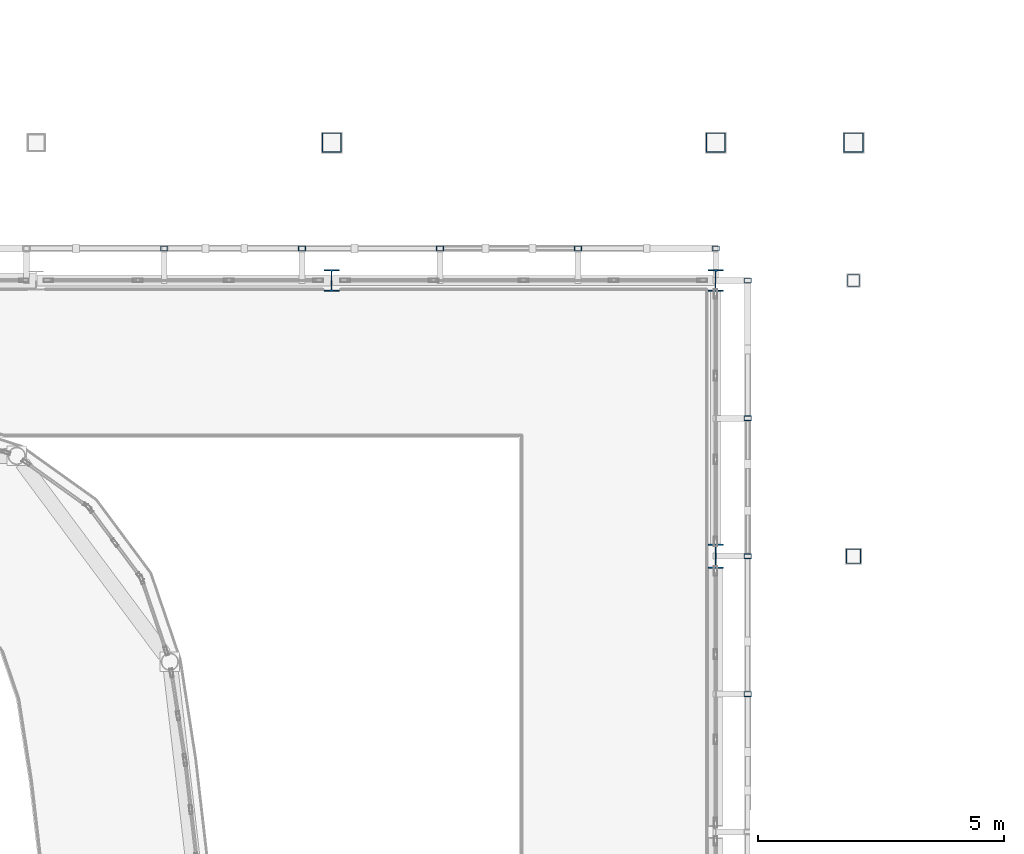
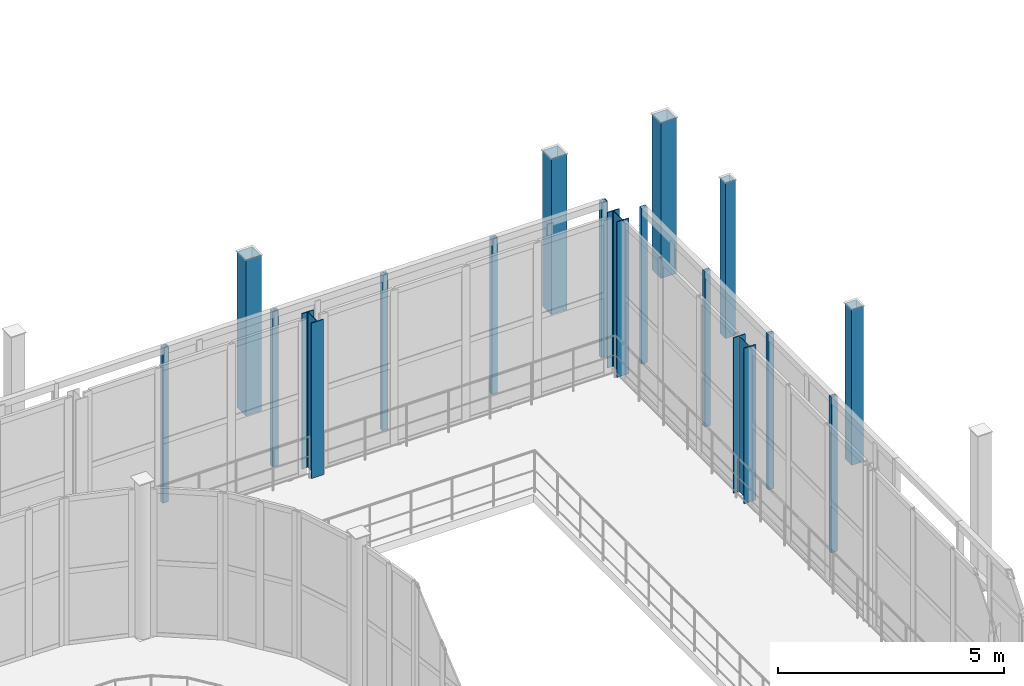
# One storey, part 12 of 138: 17 columns.
"""IFC4 building model written with IfcOpenShell, lengths in metres."""

from ifc_helpers import new_model, si_unit, direction, frame, origin, origin_2d, place, context, subcontext, project, spatial, hollow_rectangle, i_section, extrude, material, material_profile, profile_set, type_object, element, save


model = new_model("IFC4")

# Units and contexts
model_context = context("Model", 3, precision=1e-05, world=origin(), true_north=direction((0.0, 1.0)))
body_context = subcontext(model_context, "Body", "Model", "MODEL_VIEW")
ifc_project = project(units=[si_unit("LENGTHUNIT", "METRE"), si_unit("AREAUNIT", "SQUARE_METRE"), si_unit("VOLUMEUNIT", "CUBIC_METRE"), si_unit("PLANEANGLEUNIT", "RADIAN"), si_unit("MASSUNIT", "GRAM", prefix="KILO")], contexts=[model_context])

# Site, building, storey
site_placement = place(None, origin())
site = spatial("IfcSite", under=ifc_project, at=site_placement, CompositionType="ELEMENT")
building_placement = place(site_placement, origin())
building = spatial("IfcBuilding", under=site, at=building_placement, Name="Vinh Khe Railworks Police Headquarters", CompositionType="ELEMENT")
storey_placement = place(building_placement, frame((0.0, 0.0, 9.0)))
storey = spatial("IfcBuildingStorey", under=building, at=storey_placement, Name="L02", CompositionType="ELEMENT", Elevation=9.0)

# Columns
ifc_material = material(Name="Steel S355JR", Category="steel")
ifc_material_profile_1 = material_profile(ifc_material, hollow_rectangle(XDim=0.14990234375, YDim=0.10009765625, WallThickness=0.008056640625, at=origin_2d()), Name="RHS 150x100x8")
ifc_profile_set_1 = profile_set([ifc_material_profile_1], Name="Steel S355JR")
column_type_1 = type_object("IfcColumnType", Name="COL-QUILT-POST", PredefinedType="COLUMN", material=ifc_profile_set_1)
for number, where, z_axis, x_axis, name in (
    (1, (48.800048828125, 59.449951171875, 0.0), (0.0, 0.0, 1.0), (1.0, 0.0, 0.0), "Patchwork Quilt Carrier Column N-9 (L02)"),
    (2, (51.60009765625, 59.449951171875, 0.0), (0.0, 0.0, 1.0), (1.0, 0.0, 0.0), "Patchwork Quilt Carrier Column N-10 (L02)"),
    (3, (54.39990234375, 59.449951171875, 0.0), (0.0, 0.0, 1.0), (1.0, 0.0, 0.0), "Patchwork Quilt Carrier Column N-11 (L02)"),
    (4, (57.199951171875, 59.449951171875, 0.0), (0.0, 0.0, 1.0), (1.0, 0.0, 0.0), "Patchwork Quilt Carrier Column N-12 (L02)"),
    (5, (60.0, 59.449951171875, 0.0), (0.0, 0.0, 1.0), (1.0, 0.0, 0.0), "Patchwork Quilt Carrier Column N-13 (L02)"),
    (6, (60.64990234375, 50.39990234375, 0.0), (0.0, 0.0, 1.0), (1.0, 0.0, 0.0), "Patchwork Quilt Carrier Column E-10 (L02)"),
    (7, (60.64990234375, 53.199951171875, 0.0), (0.0, 0.0, 1.0), (1.0, 0.0, 0.0), "Patchwork Quilt Carrier Column E-11 (L02)"),
    (8, (60.64990234375, 56.0, 0.0), (0.0, 0.0, 1.0), (1.0, 0.0, 0.0), "Patchwork Quilt Carrier Column E-12 (L02)"),
    (9, (60.64990234375, 58.800048828125, 0.0), (0.0, 0.0, 1.0), (1.0, 0.0, 0.0), "Patchwork Quilt Carrier Column E-13 (L02)"),
):
    element("IfcColumn", number, at=place(storey_placement, frame(where, z_axis=z_axis, x_axis=x_axis)), inside=storey, type_object=column_type_1, Name=name, PredefinedType="COLUMN", context=body_context, shape_type="SweptSolid", body=[
        extrude(hollow_rectangle(XDim=0.14990234375, YDim=0.10009765625, WallThickness=0.008056640625, at=origin_2d()), origin(), (0.0, 0.0, 1.0), 4.199951171875),
    ])
ifc_material_profile_2 = material_profile(ifc_material, i_section(OverallWidth=0.300048828125, OverallDepth=0.43994140625, WebThickness=0.011474609375, FlangeThickness=0.02099609375, FilletRadius=0.027099609375, at=origin_2d()), Name="HEA 450")
ifc_profile_set_2 = profile_set([ifc_material_profile_2], Name="Steel S355JR")
column_type_2 = type_object("IfcColumnType", Name="Steel Column HEA 450", PredefinedType="COLUMN", material=ifc_profile_set_2)
for number, where, z_axis, x_axis, name in (
    (10, (52.199951171875, 58.800048828125, 0.0), (0.0, 0.0, 1.0), (1.0, 0.0, 0.0), "Column COL-L02-SC-14-0976"),
    (11, (60.0, 58.800048828125, 0.0), (0.0, 0.0, 1.0), (1.0, 0.0, 0.0), "Column COL-L02-SC-14-1040"),
):
    element("IfcColumn", number, at=place(storey_placement, frame(where, z_axis=z_axis, x_axis=x_axis)), inside=storey, type_object=column_type_2, Name=name, PredefinedType="COLUMN", context=body_context, shape_type="SweptSolid", body=[
        extrude(i_section(OverallWidth=0.300048828125, OverallDepth=0.43994140625, WebThickness=0.011474609375, FlangeThickness=0.02099609375, FilletRadius=0.027099609375, at=origin_2d()), origin(), (0.0, 0.0, 1.0), 4.199951171875),
    ])
ifc_material_profile_3 = material_profile(ifc_material, i_section(OverallWidth=0.300048828125, OverallDepth=0.489990234375, WebThickness=0.011962890625, FlangeThickness=0.02294921875, FilletRadius=0.027099609375, at=origin_2d()), Name="HEA 500")
ifc_profile_set_3 = profile_set([ifc_material_profile_3], Name="Steel S355JR")
column_type_3 = type_object("IfcColumnType", Name="Steel Column HEA 500", PredefinedType="COLUMN", material=ifc_profile_set_3)
column_1_placement = place(storey_placement, frame((60.0, 53.199951171875, 0.0), z_axis=(0.0, 0.0, 1.0), x_axis=(1.0, 0.0, 0.0)))
element("IfcColumn", 12, at=column_1_placement, inside=storey, type_object=column_type_3, Name="Column COL-L02-SC-13-1035", PredefinedType="COLUMN", context=body_context, shape_type="SweptSolid", body=[
    extrude(i_section(OverallWidth=0.300048828125, OverallDepth=0.489990234375, WebThickness=0.011962890625, FlangeThickness=0.02294921875, FilletRadius=0.027099609375, at=origin_2d()), origin(), (0.0, 0.0, 1.0), 4.199951171875),
])
ifc_material_profile_4 = material_profile(ifc_material, hollow_rectangle(XDim=0.25, YDim=0.25, WallThickness=0.012451171875, at=origin_2d()), Name="SHS 250x250x12.5")
ifc_profile_set_4 = profile_set([ifc_material_profile_4], Name="Steel S355JR")
column_type_4 = type_object("IfcColumnType", Name="Steel Column SHS 250x250x12.5", PredefinedType="COLUMN", material=ifc_profile_set_4)
column_2_placement = place(storey_placement, frame((62.800048828125, 58.800048828125, 0.0), z_axis=(0.0, 0.0, 1.0), x_axis=(1.0, 0.0, 0.0)))
element("IfcColumn", 13, at=column_2_placement, inside=storey, type_object=column_type_4, Name="Column COL-L02-SC-24-1104", PredefinedType="COLUMN", context=body_context, shape_type="SweptSolid", body=[
    extrude(hollow_rectangle(XDim=0.25, YDim=0.25, WallThickness=0.012451171875, at=origin_2d()), origin(), (0.0, 0.0, 1.0), 4.199951171875),
])
ifc_material_profile_5 = material_profile(ifc_material, hollow_rectangle(XDim=0.300048828125, YDim=0.300048828125, WallThickness=0.01611328125, at=origin_2d()), Name="SHS 300x300x16")
ifc_profile_set_5 = profile_set([ifc_material_profile_5], Name="Steel S355JR")
column_type_5 = type_object("IfcColumnType", Name="Steel Column SHS 300x300x16", PredefinedType="COLUMN", material=ifc_profile_set_5)
column_3_placement = place(storey_placement, frame((62.800048828125, 53.199951171875, 0.0), z_axis=(0.0, 0.0, 1.0), x_axis=(1.0, 0.0, 0.0)))
element("IfcColumn", 14, at=column_3_placement, inside=storey, type_object=column_type_5, Name="Column COL-L02-SC-23-1099", PredefinedType="COLUMN", context=body_context, shape_type="SweptSolid", body=[
    extrude(hollow_rectangle(XDim=0.300048828125, YDim=0.300048828125, WallThickness=0.01611328125, at=origin_2d()), origin(), (0.0, 0.0, 1.0), 4.199951171875),
])
ifc_material_profile_6 = material_profile(ifc_material, hollow_rectangle(XDim=0.39990234375, YDim=0.39990234375, WallThickness=0.02001953125, at=origin_2d()), Name="SHS 400x400x20")
ifc_profile_set_6 = profile_set([ifc_material_profile_6], Name="Steel S355JR")
column_type_6 = type_object("IfcColumnType", Name="Steel Column SHS 400x400x20", PredefinedType="COLUMN", material=ifc_profile_set_6)
for number, where, z_axis, x_axis, name in (
    (15, (52.199951171875, 61.60009765625, 0.0), (0.0, 0.0, 1.0), (1.0, 0.0, 0.0), "Column COL-L02-SC-21-0981"),
    (16, (60.0, 61.60009765625, 0.0), (0.0, 0.0, 1.0), (1.0, 0.0, 0.0), "Column COL-L02-SC-21-1045"),
    (17, (62.800048828125, 61.60009765625, 0.0), (0.0, 0.0, 1.0), (1.0, 0.0, 0.0), "Column COL-L02-SC-21-1109"),
):
    element("IfcColumn", number, at=place(storey_placement, frame(where, z_axis=z_axis, x_axis=x_axis)), inside=storey, type_object=column_type_6, Name=name, PredefinedType="COLUMN", context=body_context, shape_type="SweptSolid", body=[
        extrude(hollow_rectangle(XDim=0.39990234375, YDim=0.39990234375, WallThickness=0.02001953125, at=origin_2d()), origin(), (0.0, 0.0, 1.0), 4.199951171875),
    ])

save(model, "model.ifc")
